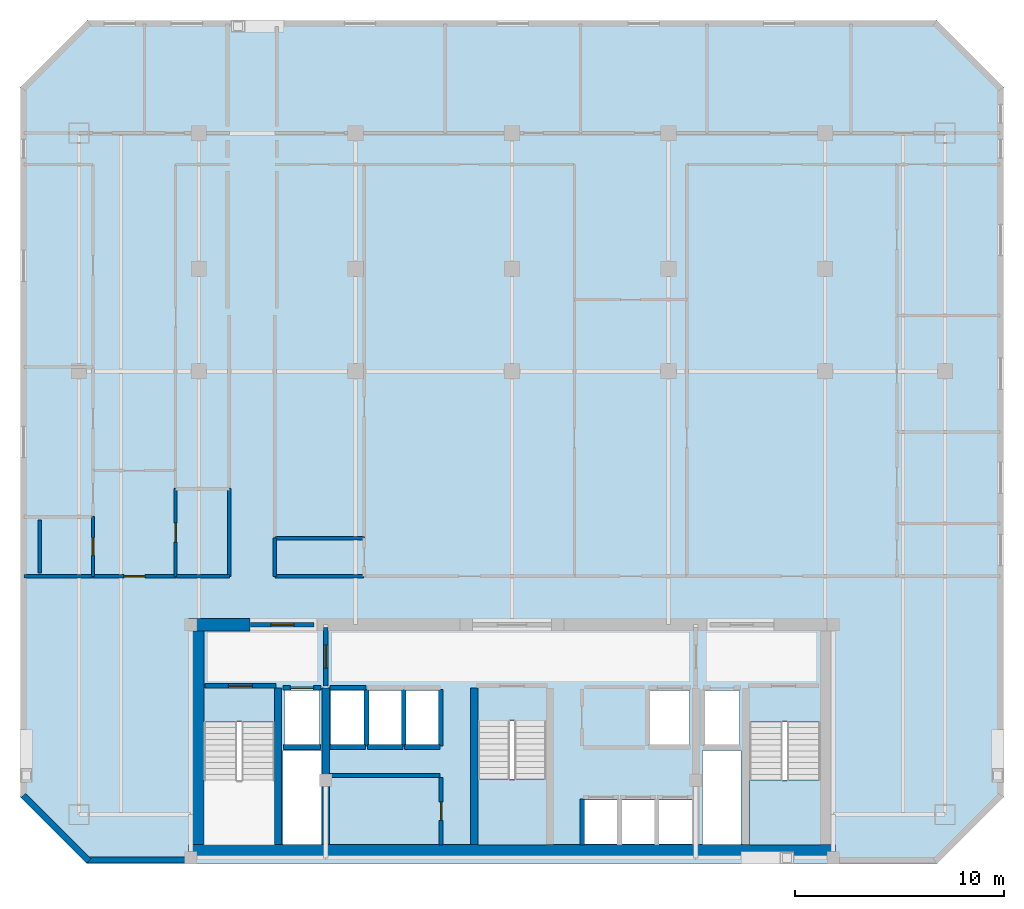
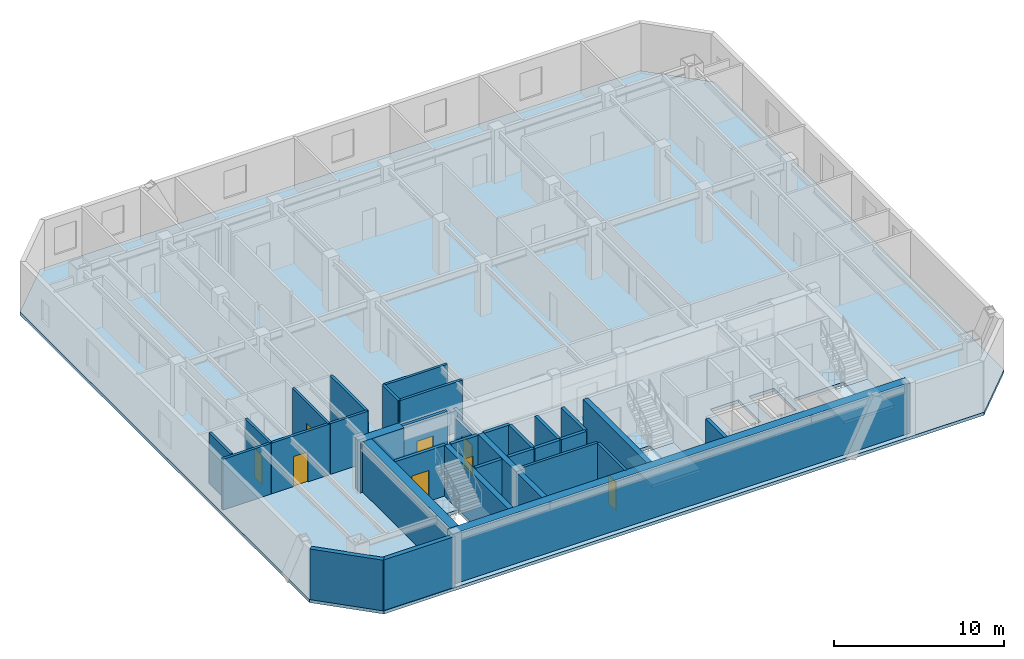
# One storey, part 2 of 7: 33 walls, 8 doors, 3 slabs, 8 openings, 2 elements without a shape of their own.
"""IFC4 building model written with IfcOpenShell, lengths in metres."""

from ifc_helpers import new_model, si_unit, direction, frame, frame_2d, origin, place, context, subcontext, project, spatial, polyline, rectangle, outline, extrude, material, layer, layer_set, type_object, element, fill, aggregate, save


model = new_model("IFC4")

# Units and contexts
model_context = context("Model", 3, precision=1e-05, world=origin(), true_north=direction((0.0, 1.0)))
body_context = subcontext(model_context, "Body", "Model", "MODEL_VIEW")
ifc_project = project(units=[si_unit("LENGTHUNIT", "METRE"), si_unit("AREAUNIT", "SQUARE_METRE"), si_unit("VOLUMEUNIT", "CUBIC_METRE"), si_unit("PLANEANGLEUNIT", "RADIAN"), si_unit("MASSUNIT", "GRAM", prefix="KILO")], contexts=[model_context])

# Site, building, storey
site_placement = place(None, origin())
site = spatial("IfcSite", under=ifc_project, at=site_placement, CompositionType="ELEMENT")
building_placement = place(site_placement, origin())
building = spatial("IfcBuilding", under=site, at=building_placement, Name="Ventersveld Concourse Tower", CompositionType="ELEMENT")
storey_placement = place(building_placement, frame((0.0, 0.0, 211.85009765625)))
storey = spatial("IfcBuildingStorey", under=building, at=storey_placement, Name="L52", CompositionType="ELEMENT", Elevation=211.85009765625)

# Slab
ifc_material_1 = material(Name="Concrete C50/60", Category="concrete")
ifc_layer_1 = layer(ifc_material_1, 0.219970703125)
ifc_layer_set_1 = layer_set([ifc_layer_1], Name="Concrete C50/60")
slab_type_1 = type_object("IfcSlabType", Name="SL-FLR-220", PredefinedType="FLOOR", material=ifc_layer_set_1)
slab_1_placement = place(storey_placement, frame((0.0, 0.0, -0.22021484375)))
element("IfcSlab", 1, at=slab_1_placement, inside=storey, type_object=slab_type_1, Name="L52 Composite Floor Slab", PredefinedType="FLOOR", context=body_context, shape_type="SweptSolid", body=[
    extrude(outline(polyline([(8.39990234375, 0.0), (49.10009765625, 0.0), (52.300048828125, 3.199951171875), (52.300048828125, 37.199951171875), (49.10009765625, 40.39990234375), (8.39990234375, 40.39990234375), (5.199951171875, 37.199951171875), (5.199951171875, 3.199951171875), (8.39990234375, 0.0)]), holes=[polyline([(13.97998046875, 6.794921875), (13.97998046875, 0.89990234375), (17.3798828125, 0.89990234375), (17.3798828125, 6.794921875), (13.97998046875, 6.794921875)]), polyline([(40.1201171875, 6.794921875), (40.1201171875, 0.89990234375), (43.52001953125, 0.89990234375), (43.52001953125, 6.794921875), (40.1201171875, 6.794921875)]), polyline([(27.10009765625, 6.844970703125), (27.10009765625, 0.89990234375), (30.39990234375, 0.89990234375), (30.39990234375, 6.844970703125), (27.10009765625, 6.844970703125)]), polyline([(17.85009765625, 5.699951171875), (19.530029296875, 5.699951171875), (19.530029296875, 8.300048828125), (17.85009765625, 8.300048828125), (17.85009765625, 5.699951171875)]), polyline([(37.969970703125, 5.699951171875), (39.64990234375, 5.699951171875), (39.64990234375, 8.300048828125), (37.969970703125, 8.300048828125), (37.969970703125, 5.699951171875)]), polyline([(35.35009765625, 5.699951171875), (37.25, 5.699951171875), (37.25, 8.300048828125), (35.35009765625, 8.300048828125), (35.35009765625, 5.699951171875)]), polyline([(32.2099609375, 0.949951171875), (33.81005859375, 0.949951171875), (33.81005859375, 3.050048828125), (32.2099609375, 3.050048828125), (32.2099609375, 0.949951171875)]), polyline([(33.989990234375, 0.949951171875), (35.590087890625, 0.949951171875), (35.590087890625, 3.050048828125), (33.989990234375, 3.050048828125), (33.989990234375, 0.949951171875)]), polyline([(35.77001953125, 0.949951171875), (37.3701171875, 0.949951171875), (37.3701171875, 3.050048828125), (35.77001953125, 3.050048828125), (35.77001953125, 0.949951171875)]), polyline([(20.090087890625, 5.699951171875), (21.68994140625, 5.699951171875), (21.68994140625, 8.300048828125), (20.090087890625, 8.300048828125), (20.090087890625, 5.699951171875)]), polyline([(21.8701171875, 5.699951171875), (23.469970703125, 5.699951171875), (23.469970703125, 8.300048828125), (21.8701171875, 8.300048828125), (21.8701171875, 5.699951171875)]), polyline([(23.64990234375, 5.699951171875), (25.25, 5.699951171875), (25.25, 8.300048828125), (23.64990234375, 8.300048828125), (23.64990234375, 5.699951171875)]), polyline([(17.780029296875, 0.919921875), (19.6201171875, 0.919921875), (19.6201171875, 5.419921875), (17.780029296875, 5.419921875), (17.780029296875, 0.919921875)]), polyline([(37.8798828125, 0.919921875), (39.719970703125, 0.919921875), (39.719970703125, 5.419921875), (37.8798828125, 5.419921875), (37.8798828125, 0.919921875)])]), origin(), (0.0, 0.0, 1.0), 0.22021484375),
])

# Stair, slab
stair_type_1 = type_object("IfcStairType", Name="ST-DOG-160", PredefinedType="HALF_TURN_STAIR", material=ifc_material_1)
stair_1_placement = place(storey_placement, origin())
stair_1 = element("IfcStair", 2, at=stair_1_placement, inside=storey, type_object=stair_type_1, Name="L52 Protected Tower Escape Stair ST-02", PredefinedType="HALF_TURN_STAIR")
ifc_layer_2 = layer(ifc_material_1, 0.199951171875)
ifc_layer_set_2 = layer_set([ifc_layer_2], Name="Concrete C50/60")
slab_type_2 = type_object("IfcSlabType", Name="SL-LND-200", PredefinedType="LANDING", material=ifc_layer_set_2)
slab_2_placement = place(storey_placement, frame((0.0, 0.0, 1.724853515625)))
slab_2 = element("IfcSlab", 3, at=slab_2_placement, type_object=slab_type_2, Name="ST-02 landing 1", PredefinedType="LANDING", context=body_context, shape_type="SweptSolid", body=[
    extrude(outline(polyline([(40.1201171875, 4.0), (40.1201171875, 0.89990234375), (43.52001953125, 0.89990234375), (43.52001953125, 4.0), (40.1201171875, 4.0)])), origin(), (0.0, 0.0, 1.0), 0.199951171875),
])
aggregate(stair_1, [slab_2])

stair_type_2 = type_object("IfcStairType", Name="ST-DOG-155", PredefinedType="HALF_TURN_STAIR", material=ifc_material_1)
stair_2_placement = place(storey_placement, origin())
stair_2 = element("IfcStair", 4, at=stair_2_placement, inside=storey, type_object=stair_type_2, Name="L52 Protected Central Core Escape Stair ST-03", PredefinedType="HALF_TURN_STAIR")
slab_3_placement = place(storey_placement, frame((0.0, 0.0, 1.724853515625)))
slab_3 = element("IfcSlab", 5, at=slab_3_placement, type_object=slab_type_2, Name="ST-03 landing 1", PredefinedType="LANDING", context=body_context, shape_type="SweptSolid", body=[
    extrude(outline(polyline([(27.10009765625, 4.050048828125), (27.10009765625, 0.89990234375), (30.39990234375, 0.89990234375), (30.39990234375, 4.050048828125), (27.10009765625, 4.050048828125)])), origin(), (0.0, 0.0, 1.0), 0.199951171875),
])
aggregate(stair_2, [slab_3])

# Walls
ifc_layer_3 = layer(ifc_material_1, 0.35009765625)
ifc_layer_set_3 = layer_set([ifc_layer_3], Name="Concrete C50/60")
wall_type_1 = type_object("IfcWallType", Name="WL-CORE-350U", PredefinedType="SHEAR", material=ifc_layer_set_3)
for number, where, z_axis, x_axis, name in (
    (6, (17.5400390625, 0.919921875, 0.0), (0.0, 0.0, 1.0), (0.0, 1.0, 0.0), "L52 Core Internal Shear Web W-ST1-E"),
    (7, (19.820068359375, 0.919921875, 0.0), (0.0, 0.0, 1.0), (0.0, 1.0, 0.0), "L52 Core Internal Shear Web W-FF1-E"),
    (8, (26.93994140625, 0.919921875, 0.0), (0.0, 0.0, 1.0), (0.0, 1.0, 0.0), "L52 Core Internal Shear Web W-ST3-W"),
):
    element("IfcWall", number, at=place(storey_placement, frame(where, z_axis=z_axis, x_axis=x_axis)), inside=storey, type_object=wall_type_1, Name=name, PredefinedType="SHEAR", context=body_context, shape_type="SweptSolid", body=[
        extrude(rectangle(XDim=7.5, YDim=0.35009765625, at=frame_2d((3.75, 0.0))), origin(), (0.0, 0.0, 1.0), 3.6298828125),
    ])
ifc_layer_4 = layer(ifc_material_1, 0.60009765625)
ifc_layer_set_4 = layer_set([ifc_layer_4], Name="Concrete C50/60")
wall_type_2 = type_object("IfcWallType", Name="WL-CORE-600", PredefinedType="SHEAR", material=ifc_layer_set_4)
wall_1_placement = place(storey_placement, frame((13.25, 0.6201171875, 0.0), z_axis=(0.0, 0.0, 1.0), x_axis=(1.0, 0.0, 0.0)))
element("IfcWall", 9, at=wall_1_placement, inside=storey, type_object=wall_type_2, Name="L52 Rear Core South Shear Wall", PredefinedType="SHEAR", context=body_context, shape_type="SweptSolid", body=[
    extrude(rectangle(XDim=31.0, YDim=0.60009765625, at=frame_2d((15.5, 0.0))), origin(), (0.0, 0.0, 1.0), 3.6298828125),
])
wall_2_placement = place(storey_placement, frame((13.699951171875, 0.919921875, 0.0), z_axis=(0.0, 0.0, 1.0), x_axis=(0.0, 1.0, 0.0)))
element("IfcWall", 10, at=wall_2_placement, inside=storey, type_object=wall_type_2, Name="L52 Rear Core West Shear Wall", PredefinedType="SHEAR", context=body_context, shape_type="SweptSolid", body=[
    extrude(rectangle(XDim=10.530029296875, YDim=0.60009765625, at=frame_2d((5.26513671875, 0.0))), origin(), (0.0, 0.0, 1.0), 3.6298828125),
])
wall_3_placement = place(storey_placement, frame((13.25, 11.449951171875, 0.0), z_axis=(0.0, 0.0, 1.0), x_axis=(1.0, 0.0, 0.0)))
element("IfcWall", 11, at=wall_3_placement, inside=storey, type_object=wall_type_2, Name="L52 Rear Core North Shear Wall NW", PredefinedType="SHEAR", context=body_context, shape_type="SweptSolid", body=[
    extrude(rectangle(XDim=2.949951171875, YDim=0.60009765625, at=frame_2d((1.47509765625, 0.0))), origin(), (0.0, 0.0, 1.0), 3.6298828125),
])

# Wall, opening, door
ifc_material_2 = material(Name="Fire-rated autoclaved aerated masonry blockwork", Category="masonry")
ifc_layer_5 = layer(ifc_material_2, 0.179931640625)
ifc_layer_set_5 = layer_set([ifc_layer_5], Name="Fire-rated autoclaved aerated masonry blockwork")
wall_type_3 = type_object("IfcWallType", Name="WL-CORR-180", PredefinedType="PARTITIONING", material=ifc_layer_set_5)
wall_4_placement = place(storey_placement, frame((25.35009765625, 0.89990234375, 0.0), z_axis=(0.0, 0.0, 1.0), x_axis=(0.0, 1.0, 0.0)))
wall_4 = element("IfcWall", 12, at=wall_4_placement, inside=storey, type_object=wall_type_3, Name="L52 Core Passage Wall SP-L52-RECB1A", PredefinedType="PARTITIONING", context=body_context, shape_type="SweptSolid", body=[
    extrude(rectangle(XDim=3.239990234375, YDim=0.179931640625, at=frame_2d((1.6201171875, 0.0))), origin(), (0.0, 0.0, 1.0), 3.6298828125),
])
opening_1_placement = place(wall_4_placement, frame((1.179931640625, 0.0, 0.0)))
opening_1 = element("IfcOpeningElement", 13, at=opening_1_placement, cuts=wall_4, Name="Opening FD5", PredefinedType="OPENING", context=body_context, shape_type="SweptSolid", body=[
    extrude(rectangle(XDim=0.8798828125, YDim=2.050048828125, at=frame_2d((0.43994140625, 1.02490234375))), frame((0.0, 0.10009765625, 0.0), z_axis=(0.0, -1.0, 0.0), x_axis=(1.0, 0.0, 0.0)), (0.0, 0.0, 1.0), 0.199951171875),
])
ifc_material_3 = material(Name="Galvanised painted steel", Category="steel")
door_type_1 = type_object("IfcDoorType", Name="DR-RISER-088", OperationType="NOTDEFINED", PredefinedType="DOOR", material=ifc_material_3)
door_1_placement = place(opening_1_placement, origin())
door_1 = element("IfcDoor", 14, at=door_1_placement, inside=storey, type_object=door_type_1, Name="L52 Core Room Door L52 Reclaimed Core Quiet Study Pod (CD-L52-2520)", OperationType="SINGLE_SWING_LEFT", OverallHeight=2.050048828125, OverallWidth=0.8798828125, PredefinedType="DOOR", context=body_context, shape_type="SweptSolid", body=[
    extrude(rectangle(XDim=0.8798828125, YDim=2.050048828125, at=frame_2d((0.43994140625, 1.02490234375))), frame((0.0, 0.02490234375, 0.0), z_axis=(0.0, -1.0, 0.0), x_axis=(1.0, 0.0, 0.0)), (0.0, 0.0, 1.0), 0.050048828125),
])
fill(opening_1, door_1)

# Wall
wall_5_placement = place(storey_placement, frame((19.97998046875, 4.22998046875, 0.0), z_axis=(0.0, 0.0, 1.0), x_axis=(1.0, 0.0, 0.0)))
element("IfcWall", 15, at=wall_5_placement, inside=storey, type_object=wall_type_3, Name="L52 Core Top Wall SP-L52-RECB1A", PredefinedType="PARTITIONING", context=body_context, shape_type="SweptSolid", body=[
    extrude(rectangle(XDim=5.320068359375, YDim=0.179931640625, at=frame_2d((2.66015625, 0.0))), origin(), (0.0, 0.0, 1.0), 3.6298828125),
])

# Wall, opening, door
wall_6_placement = place(storey_placement, frame((8.67236328125, 13.77001953125, 0.0), z_axis=(0.0, 0.0, 1.0), x_axis=(1.0, 0.0, 0.0)))
wall_6 = element("IfcWall", 16, at=wall_6_placement, inside=storey, type_object=wall_type_3, Name="L52 Interior Partition SP-L52-COR-SP-L52-52NW-FOY", PredefinedType="PARTITIONING", context=body_context, shape_type="SweptSolid", body=[
    extrude(rectangle(XDim=3.969970703125, YDim=0.179931640625, at=frame_2d((1.98486328125, 0.0))), origin(), (0.0, 0.0, 1.0), 3.6298828125),
])
opening_2_placement = place(wall_6_placement, frame((1.485107421875, 0.0, 0.0)))
opening_2 = element("IfcOpeningElement", 17, at=opening_2_placement, cuts=wall_6, Name="Opening FD3", PredefinedType="OPENING", context=body_context, shape_type="SweptSolid", body=[
    extrude(rectangle(XDim=1.0, YDim=2.14990234375, at=frame_2d((0.5, 1.074951171875))), frame((0.0, 0.10009765625, 0.0), z_axis=(0.0, -1.0, 0.0), x_axis=(1.0, 0.0, 0.0)), (0.0, 0.0, 1.0), 0.199951171875),
])
ifc_material_4 = material(Name="Solid-core hardwood veneer timber", Category="wood")
door_type_2 = type_object("IfcDoorType", Name="DR-FLAT-100", OperationType="NOTDEFINED", PredefinedType="DOOR", material=ifc_material_4)
door_2_placement = place(opening_2_placement, origin())
door_2 = element("IfcDoor", 18, at=door_2_placement, inside=storey, type_object=door_type_2, Name="L52 Interior Door SP-L52-COR to SP-L52-52NW-FOY (FD-L52-2522)", OperationType="SINGLE_SWING_RIGHT", OverallHeight=2.14990234375, OverallWidth=1.0, PredefinedType="DOOR", context=body_context, shape_type="SweptSolid", body=[
    extrude(rectangle(XDim=1.0, YDim=2.14990234375, at=frame_2d((0.5, 1.074951171875))), frame((0.0, 0.02490234375, 0.0), z_axis=(0.0, -1.0, 0.0), x_axis=(1.0, 0.0, 0.0)), (0.0, 0.0, 1.0), 0.050048828125),
])
fill(opening_2, door_2)

# Walls
wall_7_placement = place(storey_placement, frame((5.37255859375, 13.77001953125, 0.0), z_axis=(0.0, 0.0, 1.0), x_axis=(1.0, 0.0, 0.0)))
element("IfcWall", 19, at=wall_7_placement, inside=storey, type_object=wall_type_3, Name="L52 Interior Partition SP-L52-COR-SP-L52-52NW-BATH", PredefinedType="PARTITIONING", context=body_context, shape_type="SweptSolid", body=[
    extrude(rectangle(XDim=3.269775390625, YDim=0.179931640625, at=frame_2d((1.634765625, 0.0))), origin(), (0.0, 0.0, 1.0), 3.6298828125),
])
wall_8_placement = place(storey_placement, frame((15.2099609375, 13.764892578125, 0.0), z_axis=(0.0, 0.0, 1.0), x_axis=(0.0, 1.0, 0.0)))
element("IfcWall", 20, at=wall_8_placement, inside=storey, type_object=wall_type_3, Name="L52 Interior Partition SP-L52-COR-SP-L52-52NW-KIT", PredefinedType="PARTITIONING", context=body_context, shape_type="SweptSolid", body=[
    extrude(rectangle(XDim=4.202392578125, YDim=0.179931640625, at=frame_2d((2.10107421875, 0.0))), origin(), (0.0, 0.0, 1.0), 3.6298828125),
])
wall_9_placement = place(storey_placement, frame((12.67236328125, 13.77001953125, 0.0), z_axis=(0.0, 0.0, 1.0), x_axis=(1.0, 0.0, 0.0)))
element("IfcWall", 21, at=wall_9_placement, inside=storey, type_object=wall_type_3, Name="L52 Interior Partition SP-L52-COR-SP-L52-52NW-KIT", PredefinedType="PARTITIONING", context=body_context, shape_type="SweptSolid", body=[
    extrude(rectangle(XDim=2.542724609375, YDim=0.179931640625, at=frame_2d((1.271484375, 0.0))), origin(), (0.0, 0.0, 1.0), 3.6298828125),
])
wall_10_placement = place(storey_placement, frame((17.385009765625, 13.77001953125, 0.0), z_axis=(0.0, 0.0, 1.0), x_axis=(1.0, 0.0, 0.0)))
element("IfcWall", 22, at=wall_10_placement, inside=storey, type_object=wall_type_3, Name="L52 Interior Partition SP-L52-COR-SP-L52-52N1-BATH", PredefinedType="PARTITIONING", context=body_context, shape_type="SweptSolid", body=[
    extrude(rectangle(XDim=4.25, YDim=0.179931640625, at=frame_2d((2.125, 0.0))), origin(), (0.0, 0.0, 1.0), 3.6298828125),
])
wall_11_placement = place(storey_placement, frame((17.389892578125, 13.764892578125, 0.0), z_axis=(0.0, 0.0, 1.0), x_axis=(0.0, 1.0, 0.0)))
element("IfcWall", 23, at=wall_11_placement, inside=storey, type_object=wall_type_3, Name="L52 Interior Partition SP-L52-COR-SP-L52-52N1-BATH", PredefinedType="PARTITIONING", context=body_context, shape_type="SweptSolid", body=[
    extrude(rectangle(XDim=1.840087890625, YDim=0.179931640625, at=frame_2d((0.919921875, 0.0))), origin(), (0.0, 0.0, 1.0), 3.6298828125),
])
ifc_layer_6 = layer(ifc_material_2, 0.219970703125)
ifc_layer_set_6 = layer_set([ifc_layer_6], Name="Fire-rated autoclaved aerated masonry blockwork")
wall_type_4 = type_object("IfcWallType", Name="WL-HOIST-220", PredefinedType="SOLIDWALL", material=ifc_layer_set_6)
wall_12_placement = place(storey_placement, frame((17.800048828125, 5.590087890625, 0.0), z_axis=(0.0, 0.0, 1.0), x_axis=(1.0, 0.0, 0.0)))
element("IfcWall", 24, at=wall_12_placement, inside=storey, type_object=wall_type_4, Name="L52 Lift Hoistway Back Wall FFL-01", PredefinedType="SOLIDWALL", context=body_context, shape_type="SweptSolid", body=[
    extrude(rectangle(XDim=1.780029296875, YDim=0.219970703125, at=frame_2d((0.89013671875, 0.0))), origin(), (0.0, 0.0, 1.0), 3.6298828125),
])

# Wall, opening, door
wall_13_placement = place(storey_placement, frame((17.780029296875, 8.429931640625, 0.0), z_axis=(0.0, 0.0, 1.0), x_axis=(1.0, 0.0, 0.0)))
wall_13 = element("IfcWall", 25, at=wall_13_placement, inside=storey, type_object=wall_type_4, Name="L52 Lift Hoistway Front Wall FFL-01", PredefinedType="SOLIDWALL", context=body_context, shape_type="SweptSolid", body=[
    extrude(rectangle(XDim=1.820068359375, YDim=0.219970703125, at=frame_2d((0.91015625, 0.0))), origin(), (0.0, 0.0, 1.0), 3.6298828125),
])
opening_3_placement = place(wall_13_placement, frame((0.35009765625, 0.0, 0.0)))
opening_3 = element("IfcOpeningElement", 26, at=opening_3_placement, cuts=wall_13, Name="Opening LD1", PredefinedType="OPENING", context=body_context, shape_type="SweptSolid", body=[
    extrude(rectangle(XDim=1.1201171875, YDim=2.25, at=frame_2d((0.56005859375, 1.125))), frame((0.0, 0.1201171875, 0.0), z_axis=(0.0, -1.0, 0.0), x_axis=(1.0, 0.0, 0.0)), (0.0, 0.0, 1.0), 0.239990234375),
])
ifc_material_5 = material(Name="Brushed stainless steel 316", Category="steel")
door_type_3 = type_object("IfcDoorType", Name="LD-FF-112", OperationType="SLIDING_TO_LEFT", PredefinedType="DOOR", material=ifc_material_5)
door_3_placement = place(opening_3_placement, origin())
door_3 = element("IfcDoor", 27, at=door_3_placement, inside=storey, type_object=door_type_3, Name="L52 Lift landing door FFL-01 (LD-L52-FFL-01)", OperationType="SLIDING_TO_LEFT", OverallHeight=2.25, OverallWidth=1.1201171875, PredefinedType="DOOR", context=body_context, shape_type="SweptSolid", body=[
    extrude(rectangle(XDim=1.1201171875, YDim=2.25, at=frame_2d((0.56005859375, 1.125))), frame((0.0, 0.02490234375, 0.0), z_axis=(0.0, -1.0, 0.0), x_axis=(1.0, 0.0, 0.0)), (0.0, 0.0, 1.0), 0.050048828125),
])
fill(opening_3, door_3)

# Walls
wall_14_placement = place(storey_placement, frame((32.1201171875, 0.89990234375, 0.0), z_axis=(0.0, 0.0, 1.0), x_axis=(0.0, 1.0, 0.0)))
element("IfcWall", 28, at=wall_14_placement, inside=storey, type_object=wall_type_4, Name="L52 Lift Hoistway Side Wall PM-01W", PredefinedType="SOLIDWALL", context=body_context, shape_type="SweptSolid", body=[
    extrude(rectangle(XDim=2.2001953125, YDim=0.219970703125, at=frame_2d((1.10009765625, 0.0))), origin(), (0.0, 0.0, 1.0), 3.6298828125),
])
wall_15_placement = place(storey_placement, frame((20.0400390625, 5.590087890625, 0.0), z_axis=(0.0, 0.0, 1.0), x_axis=(1.0, 0.0, 0.0)))
element("IfcWall", 29, at=wall_15_placement, inside=storey, type_object=wall_type_4, Name="L52 Lift Hoistway Back Wall PH-01", PredefinedType="SOLIDWALL", context=body_context, shape_type="SweptSolid", body=[
    extrude(rectangle(XDim=1.699951171875, YDim=0.219970703125, at=frame_2d((0.85009765625, 0.0))), origin(), (0.0, 0.0, 1.0), 3.6298828125),
])
wall_16_placement = place(storey_placement, frame((21.780029296875, 5.64990234375, 0.0), z_axis=(0.0, 0.0, 1.0), x_axis=(0.0, 1.0, 0.0)))
element("IfcWall", 30, at=wall_16_placement, inside=storey, type_object=wall_type_4, Name="L52 Lift Hoistway Side Wall PH-01E", PredefinedType="SOLIDWALL", context=body_context, shape_type="SweptSolid", body=[
    extrude(rectangle(XDim=2.7001953125, YDim=0.219970703125, at=frame_2d((1.35009765625, 0.0))), origin(), (0.0, 0.0, 1.0), 3.6298828125),
])
wall_17_placement = place(storey_placement, frame((20.02001953125, 8.429931640625, 0.0), z_axis=(0.0, 0.0, 1.0), x_axis=(1.0, 0.0, 0.0)))
element("IfcWall", 31, at=wall_17_placement, inside=storey, type_object=wall_type_4, Name="L52 Lift Hoistway Front Wall PH-01", PredefinedType="SOLIDWALL", context=body_context, shape_type="SweptSolid", body=[
    extrude(rectangle(XDim=1.739990234375, YDim=0.219970703125, at=frame_2d((0.8701171875, 0.0))), origin(), (0.0, 0.0, 1.0), 3.6298828125),
])
wall_18_placement = place(storey_placement, frame((21.820068359375, 5.590087890625, 0.0), z_axis=(0.0, 0.0, 1.0), x_axis=(1.0, 0.0, 0.0)))
element("IfcWall", 32, at=wall_18_placement, inside=storey, type_object=wall_type_4, Name="L52 Lift Hoistway Back Wall PH-02", PredefinedType="SOLIDWALL", context=body_context, shape_type="SweptSolid", body=[
    extrude(rectangle(XDim=1.699951171875, YDim=0.219970703125, at=frame_2d((0.85009765625, 0.0))), origin(), (0.0, 0.0, 1.0), 3.6298828125),
])
wall_19_placement = place(storey_placement, frame((23.56005859375, 5.64990234375, 0.0), z_axis=(0.0, 0.0, 1.0), x_axis=(0.0, 1.0, 0.0)))
element("IfcWall", 33, at=wall_19_placement, inside=storey, type_object=wall_type_4, Name="L52 Lift Hoistway Side Wall PH-02E", PredefinedType="SOLIDWALL", context=body_context, shape_type="SweptSolid", body=[
    extrude(rectangle(XDim=2.7001953125, YDim=0.219970703125, at=frame_2d((1.35009765625, 0.0))), origin(), (0.0, 0.0, 1.0), 3.6298828125),
])
wall_20_placement = place(storey_placement, frame((23.60009765625, 5.590087890625, 0.0), z_axis=(0.0, 0.0, 1.0), x_axis=(1.0, 0.0, 0.0)))
element("IfcWall", 34, at=wall_20_placement, inside=storey, type_object=wall_type_4, Name="L52 Lift Hoistway Back Wall PH-03", PredefinedType="SOLIDWALL", context=body_context, shape_type="SweptSolid", body=[
    extrude(rectangle(XDim=1.699951171875, YDim=0.219970703125, at=frame_2d((0.85009765625, 0.0))), origin(), (0.0, 0.0, 1.0), 3.6298828125),
])
wall_21_placement = place(storey_placement, frame((25.340087890625, 5.64990234375, 0.0), z_axis=(0.0, 0.0, 1.0), x_axis=(0.0, 1.0, 0.0)))
element("IfcWall", 35, at=wall_21_placement, inside=storey, type_object=wall_type_4, Name="L52 Lift Hoistway Side Wall PH-03E", PredefinedType="SOLIDWALL", context=body_context, shape_type="SweptSolid", body=[
    extrude(rectangle(XDim=2.7001953125, YDim=0.219970703125, at=frame_2d((1.35009765625, 0.0))), origin(), (0.0, 0.0, 1.0), 3.6298828125),
])

# Wall, opening, door
wall_22_placement = place(storey_placement, frame((14.0400390625, 8.52001953125, 0.0), z_axis=(0.0, 0.0, 1.0), x_axis=(1.0, 0.0, 0.0)))
wall_22 = element("IfcWall", 36, at=wall_22_placement, inside=storey, type_object=wall_type_4, Name="L52 Escape Stair ST01 Fire Wall", PredefinedType="SOLIDWALL", context=body_context, shape_type="SweptSolid", body=[
    extrude(rectangle(XDim=3.39990234375, YDim=0.219970703125, at=frame_2d((1.699951171875, 0.0))), origin(), (0.0, 0.0, 1.0), 3.6298828125),
])
opening_4_placement = place(wall_22_placement, frame((1.125, 0.0, 0.0)))
opening_4 = element("IfcOpeningElement", 37, at=opening_4_placement, cuts=wall_22, Name="Opening FD1", PredefinedType="OPENING", context=body_context, shape_type="SweptSolid", body=[
    extrude(rectangle(XDim=1.14990234375, YDim=2.199951171875, at=frame_2d((0.574951171875, 1.10009765625))), frame((0.0, 0.1201171875, 0.0), z_axis=(0.0, -1.0, 0.0), x_axis=(1.0, 0.0, 0.0)), (0.0, 0.0, 1.0), 0.239990234375),
])
door_type_4 = type_object("IfcDoorType", Name="DR-STAIR-115", OperationType="NOTDEFINED", PredefinedType="DOOR", material=ifc_material_3)
door_4_placement = place(opening_4_placement, origin())
door_4 = element("IfcDoor", 38, at=door_4_placement, inside=storey, type_object=door_type_4, Name="L52 Escape Stair Door ST01 (SD-L52-2512)", OperationType="SINGLE_SWING_LEFT", OverallHeight=2.199951171875, OverallWidth=1.14990234375, PredefinedType="DOOR", context=body_context, shape_type="SweptSolid", body=[
    extrude(rectangle(XDim=1.14990234375, YDim=2.199951171875, at=frame_2d((0.574951171875, 1.10009765625))), frame((0.0, 0.02490234375, 0.0), z_axis=(0.0, -1.0, 0.0), x_axis=(1.0, 0.0, 0.0)), (0.0, 0.0, 1.0), 0.050048828125),
])
fill(opening_4, door_4)

wall_23_placement = place(storey_placement, frame((19.820068359375, 8.52001953125, 0.0), z_axis=(0.0, 0.0, 1.0), x_axis=(0.0, 1.0, 0.0)))
wall_23 = element("IfcWall", 39, at=wall_23_placement, inside=storey, type_object=wall_type_4, Name="L52 Firefighting Lobby Smoke-Stop Wall FFLW-SEP", PredefinedType="SOLIDWALL", context=body_context, shape_type="SweptSolid", body=[
    extrude(rectangle(XDim=2.800048828125, YDim=0.219970703125, at=frame_2d((1.39990234375, 0.0))), origin(), (0.0, 0.0, 1.0), 3.08544921875),
])
opening_5_placement = place(wall_23_placement, frame((0.85009765625, 0.0, 0.0)))
opening_5 = element("IfcOpeningElement", 40, at=opening_5_placement, cuts=wall_23, Name="Opening FD2", PredefinedType="OPENING", context=body_context, shape_type="SweptSolid", body=[
    extrude(rectangle(XDim=1.10009765625, YDim=2.199951171875, at=frame_2d((0.550048828125, 1.10009765625))), frame((0.0, 0.1201171875, 0.0), z_axis=(0.0, -1.0, 0.0), x_axis=(1.0, 0.0, 0.0)), (0.0, 0.0, 1.0), 0.239990234375),
])
door_type_5 = type_object("IfcDoorType", Name="DR-FFL-110", OperationType="NOTDEFINED", PredefinedType="DOOR", material=ifc_material_3)
door_5_placement = place(opening_5_placement, origin())
door_5 = element("IfcDoor", 41, at=door_5_placement, inside=storey, type_object=door_type_5, Name="L52 Firefighting Lobby Door FFLW-SEP (FD-L52-2515)", OperationType="SINGLE_SWING_LEFT", OverallHeight=2.199951171875, OverallWidth=1.10009765625, PredefinedType="DOOR", context=body_context, shape_type="SweptSolid", body=[
    extrude(rectangle(XDim=1.10009765625, YDim=2.199951171875, at=frame_2d((0.550048828125, 1.10009765625))), frame((0.0, 0.02490234375, 0.0), z_axis=(0.0, -1.0, 0.0), x_axis=(1.0, 0.0, 0.0)), (0.0, 0.0, 1.0), 0.050048828125),
])
fill(opening_5, door_5)

wall_24_placement = place(storey_placement, frame((16.22998046875, 11.449951171875, 0.0), z_axis=(0.0, 0.0, 1.0), x_axis=(1.0, 0.0, 0.0)))
wall_24 = element("IfcWall", 42, at=wall_24_placement, inside=storey, type_object=wall_type_4, Name="L52 Core North Fire Portal FFLW-OUT", PredefinedType="SOLIDWALL", context=body_context, shape_type="SweptSolid", body=[
    extrude(rectangle(XDim=3.0400390625, YDim=0.219970703125, at=frame_2d((1.52001953125, 0.0))), origin(), (0.0, 0.0, 1.0), 3.6298828125),
])
opening_6_placement = place(wall_24_placement, frame((0.969970703125, 0.0, 0.0)))
opening_6 = element("IfcOpeningElement", 43, at=opening_6_placement, cuts=wall_24, Name="Opening FD2", PredefinedType="OPENING", context=body_context, shape_type="SweptSolid", body=[
    extrude(rectangle(XDim=1.10009765625, YDim=2.199951171875, at=frame_2d((0.550048828125, 1.10009765625))), frame((0.0, 0.1201171875, 0.0), z_axis=(0.0, -1.0, 0.0), x_axis=(1.0, 0.0, 0.0)), (0.0, 0.0, 1.0), 0.239990234375),
])
door_6_placement = place(opening_6_placement, origin())
door_6 = element("IfcDoor", 44, at=door_6_placement, inside=storey, type_object=door_type_5, Name="L52 Core Lobby Fire Door FFLW-OUT (FD-L52-2517)", OperationType="SINGLE_SWING_RIGHT", OverallHeight=2.199951171875, OverallWidth=1.10009765625, PredefinedType="DOOR", context=body_context, shape_type="SweptSolid", body=[
    extrude(rectangle(XDim=1.10009765625, YDim=2.199951171875, at=frame_2d((0.550048828125, 1.10009765625))), frame((0.0, 0.02490234375, 0.0), z_axis=(0.0, -1.0, 0.0), x_axis=(1.0, 0.0, 0.0)), (0.0, 0.0, 1.0), 0.050048828125),
])
fill(opening_6, door_6)

ifc_material_6 = material(Name="Autoclaved aerated masonry blockwork", Category="masonry")
ifc_layer_7 = layer(ifc_material_6, 0.14990234375)
ifc_layer_set_7 = layer_set([ifc_layer_7], Name="Autoclaved aerated masonry blockwork")
wall_type_5 = type_object("IfcWallType", Name="WL-INT-150", PredefinedType="PARTITIONING", material=ifc_layer_set_7)
wall_25_placement = place(storey_placement, frame((12.637451171875, 13.764892578125, 0.0), z_axis=(0.0, 0.0, 1.0), x_axis=(0.0, 1.0, 0.0)))
wall_25 = element("IfcWall", 45, at=wall_25_placement, inside=storey, type_object=wall_type_5, Name="L52 Interior Partition SP-L52-52NW-FOY-SP-L52-52NW-KIT", PredefinedType="PARTITIONING", context=body_context, shape_type="SweptSolid", body=[
    extrude(rectangle(XDim=4.202392578125, YDim=0.14990234375, at=frame_2d((2.10107421875, 0.0))), origin(), (0.0, 0.0, 1.0), 3.6298828125),
])
opening_7_placement = place(wall_25_placement, frame((1.64111328125, 0.0, 0.0)))
opening_7 = element("IfcOpeningElement", 46, at=opening_7_placement, cuts=wall_25, Name="Opening ID1", PredefinedType="OPENING", context=body_context, shape_type="SweptSolid", body=[
    extrude(rectangle(XDim=0.919921875, YDim=2.10009765625, at=frame_2d((0.4599609375, 1.050048828125))), frame((0.0, 0.0849609375, 0.0), z_axis=(0.0, -1.0, 0.0), x_axis=(1.0, 0.0, 0.0)), (0.0, 0.0, 1.0), 0.169921875),
])
door_type_6 = type_object("IfcDoorType", Name="DR-ROOM-092", OperationType="NOTDEFINED", PredefinedType="DOOR", material=ifc_material_4)
door_7_placement = place(opening_7_placement, origin())
door_7 = element("IfcDoor", 47, at=door_7_placement, inside=storey, type_object=door_type_6, Name="L52 Interior Door SP-L52-52NW-FOY to SP-L52-52NW-KIT (D-L52-2529)", OperationType="SINGLE_SWING_LEFT", OverallHeight=2.10009765625, OverallWidth=0.919921875, PredefinedType="DOOR", context=body_context, shape_type="SweptSolid", body=[
    extrude(rectangle(XDim=0.919921875, YDim=2.10009765625, at=frame_2d((0.4599609375, 1.050048828125))), frame((0.0, 0.02490234375, 0.0), z_axis=(0.0, -1.0, 0.0), x_axis=(1.0, 0.0, 0.0)), (0.0, 0.0, 1.0), 0.050048828125),
])
fill(opening_7, door_7)

# Walls
ifc_material_7 = material(Name="Precast concrete C45/55", Category="concrete")
ifc_layer_8 = layer(ifc_material_7, 0.300048828125)
ifc_layer_set_8 = layer_set([ifc_layer_8], Name="Precast concrete C45/55")
wall_type_6 = type_object("IfcWallType", Name="WL-PREC-300", PredefinedType="SOLIDWALL", material=ifc_layer_set_8)
wall_26_placement = place(storey_placement, frame((8.43994140625, 0.179931640625, 0.0), z_axis=(0.0, 0.0, 1.0), x_axis=(1.0, 0.0, 0.0)))
element("IfcWall", 48, at=wall_26_placement, inside=storey, type_object=wall_type_6, Name="L52 South-West Flank Precast Wall", PredefinedType="SOLIDWALL", context=body_context, shape_type="SweptSolid", body=[
    extrude(rectangle(XDim=4.81005859375, YDim=0.300048828125, at=frame_2d((2.405029296875, 0.0))), origin(), (0.0, 0.0, 1.0), 3.6298828125),
])
wall_27_placement = place(storey_placement, frame((5.33447265625, 3.27783203125, 0.0), z_axis=(0.0, 0.0, 1.0), x_axis=(0.707106781187, -0.707106781187, 0.0)))
element("IfcWall", 49, at=wall_27_placement, inside=storey, type_object=wall_type_6, Name="L52 Highveld Precast Facade Wall E08", PredefinedType="SOLIDWALL", context=body_context, shape_type="SweptSolid", body=[
    extrude(rectangle(XDim=4.4453125, YDim=0.300048828125, at=frame_2d((2.22265625, 0.0))), origin(), (0.0, 0.0, 1.0), 3.6298828125),
])

# Wall, opening, door
ifc_layer_9 = layer(ifc_material_6, 0.1650390625)
ifc_layer_set_9 = layer_set([ifc_layer_9], Name="Autoclaved aerated masonry blockwork")
wall_type_7 = type_object("IfcWallType", Name="WL-WET-165", PredefinedType="PLUMBINGWALL", material=ifc_layer_set_9)
wall_28_placement = place(storey_placement, frame((8.677490234375, 13.764892578125, 0.0), z_axis=(0.0, 0.0, 1.0), x_axis=(0.0, 1.0, 0.0)))
wall_28 = element("IfcWall", 50, at=wall_28_placement, inside=storey, type_object=wall_type_7, Name="L52 Interior Partition SP-L52-52NW-FOY-SP-L52-52NW-BATH", PredefinedType="PLUMBINGWALL", context=body_context, shape_type="SweptSolid", body=[
    extrude(rectangle(XDim=2.864990234375, YDim=0.1650390625, at=frame_2d((1.4326171875, 0.0))), origin(), (0.0, 0.0, 1.0), 3.6298828125),
])
opening_8_placement = place(wall_28_placement, frame((1.00732421875, 0.0, 0.0)))
opening_8 = element("IfcOpeningElement", 51, at=opening_8_placement, cuts=wall_28, Name="Opening ID2", PredefinedType="OPENING", context=body_context, shape_type="SweptSolid", body=[
    extrude(rectangle(XDim=0.85009765625, YDim=2.10009765625, at=frame_2d((0.425048828125, 1.050048828125))), frame((0.0, 0.092529296875, 0.0), z_axis=(0.0, -1.0, 0.0), x_axis=(1.0, 0.0, 0.0)), (0.0, 0.0, 1.0), 0.18505859375),
])
door_type_7 = type_object("IfcDoorType", Name="DR-BATH-085", OperationType="NOTDEFINED", PredefinedType="DOOR", material=ifc_material_4)
door_8_placement = place(opening_8_placement, origin())
door_8 = element("IfcDoor", 52, at=door_8_placement, inside=storey, type_object=door_type_7, Name="L52 Interior Door SP-L52-52NW-FOY to SP-L52-52NW-BATH (D-L52-2527)", OperationType="SINGLE_SWING_LEFT", OverallHeight=2.10009765625, OverallWidth=0.85009765625, PredefinedType="DOOR", context=body_context, shape_type="SweptSolid", body=[
    extrude(rectangle(XDim=0.85009765625, YDim=2.10009765625, at=frame_2d((0.425048828125, 1.050048828125))), frame((0.0, 0.02490234375, 0.0), z_axis=(0.0, -1.0, 0.0), x_axis=(1.0, 0.0, 0.0)), (0.0, 0.0, 1.0), 0.050048828125),
])
fill(opening_8, door_8)

# Walls
wall_29_placement = place(storey_placement, frame((17.385009765625, 15.60009765625, 0.0), z_axis=(0.0, 0.0, 1.0), x_axis=(1.0, 0.0, 0.0)))
element("IfcWall", 53, at=wall_29_placement, inside=storey, type_object=wall_type_7, Name="L52 Interior Partition SP-L52-52N1-BATH-SP-L52-52N1-OFFL0", PredefinedType="PLUMBINGWALL", context=body_context, shape_type="SweptSolid", body=[
    extrude(rectangle(XDim=4.2900390625, YDim=0.1650390625, at=frame_2d((2.14501953125, 0.0))), origin(), (0.0, 0.0, 1.0), 3.6298828125),
])
wall_30_placement = place(storey_placement, frame((6.1201171875, 13.93505859375, 0.0), z_axis=(0.0, 0.0, 1.0), x_axis=(0.0, 1.0, 0.0)))
element("IfcWall", 54, at=wall_30_placement, inside=storey, type_object=wall_type_7, Name="L52 Room Enclosure Wall SP-L52-52NW-BATH", PredefinedType="PLUMBINGWALL", context=body_context, shape_type="SweptSolid", body=[
    extrude(rectangle(XDim=2.52490234375, YDim=0.1650390625, at=frame_2d((1.262451171875, 0.0))), origin(), (0.0, 0.0, 1.0), 3.6298828125),
])

save(model, "model.ifc")
